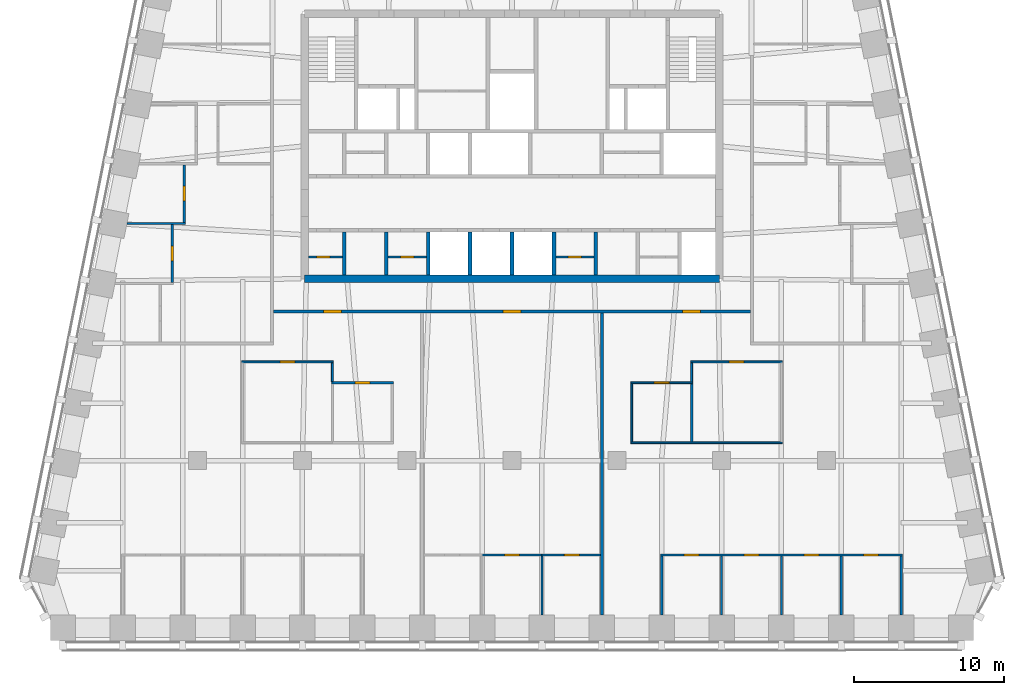
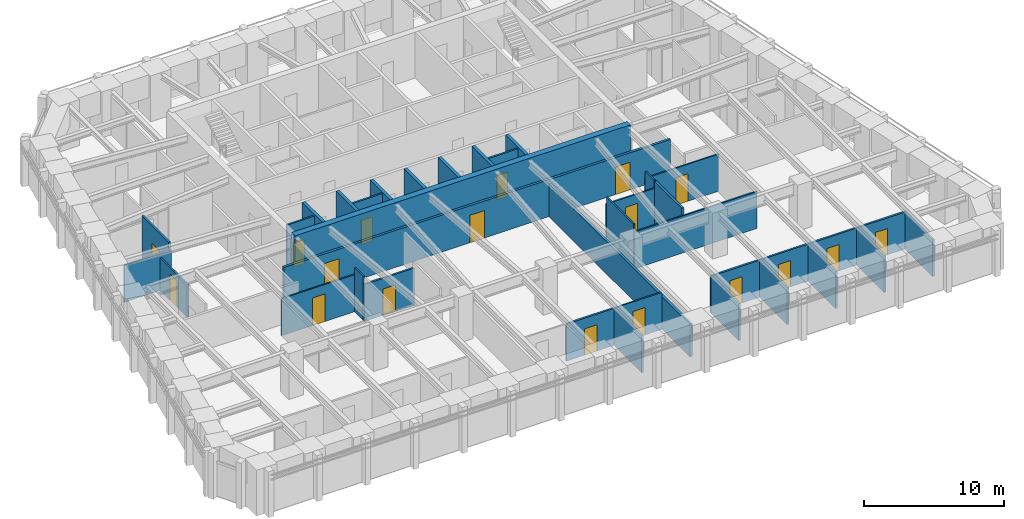
# One storey, part 6 of 11: 34 walls, 18 doors, 18 openings.
"""IFC4 building model written with IfcOpenShell, lengths in metres."""

from ifc_helpers import new_model, si_unit, direction, frame, frame_2d, origin, place, context, subcontext, project, spatial, rectangle, extrude, material, layer, layer_set, type_object, element, fill, save


model = new_model("IFC4")

# Units and contexts
model_context = context("Model", 3, precision=1e-05, world=origin(), true_north=direction((0.0, 1.0)))
body_context = subcontext(model_context, "Body", "Model", "MODEL_VIEW")
ifc_project = project(units=[si_unit("LENGTHUNIT", "METRE"), si_unit("AREAUNIT", "SQUARE_METRE"), si_unit("VOLUMEUNIT", "CUBIC_METRE"), si_unit("PLANEANGLEUNIT", "RADIAN"), si_unit("MASSUNIT", "GRAM", prefix="KILO")], contexts=[model_context])

# Site, building, storey
site_placement = place(None, origin())
site = spatial("IfcSite", under=ifc_project, at=site_placement, CompositionType="ELEMENT")
building_placement = place(site_placement, origin())
building = spatial("IfcBuilding", under=site, at=building_placement, Name="Isbrekke Arena Tower", CompositionType="ELEMENT")
storey_placement = place(building_placement, frame((0.0, 0.0, 252.0)))
storey = spatial("IfcBuildingStorey", under=building, at=storey_placement, Name="L58", CompositionType="ELEMENT", Elevation=252.0)

# Walls
ifc_material_1 = material(Name="Concrete B55 (C55/67)", Category="concrete")
ifc_layer_1 = layer(ifc_material_1, 0.5)
ifc_layer_set_1 = layer_set([ifc_layer_1], Name="CW5 CORE WALL 500")
wall_type_1 = type_object("IfcWallType", Name="CW5 CORE WALL 500", PredefinedType="SHEAR", material=ifc_layer_set_1)
wall_1_placement = place(storey_placement, frame((-13.85009765625, 6.14990234375, 0.0), z_axis=(0.0, 0.0, 1.0), x_axis=(1.0, 0.0, 0.0)))
element("IfcWall", 1, at=wall_1_placement, inside=storey, type_object=wall_type_1, Name="Core wall S L58", PredefinedType="SHEAR", context=body_context, shape_type="SweptSolid", body=[
    extrude(rectangle(XDim=27.7001953125, YDim=0.5, at=frame_2d((13.85009765625, 0.0))), origin(), (0.0, 0.0, 1.0), 4.0),
])
ifc_material_2 = material(Name="Concrete B45 (C45/55)", Category="concrete")
ifc_layer_2 = layer(ifc_material_2, 0.25)
ifc_layer_set_2 = layer_set([ifc_layer_2], Name="CW6 SHAFT WALL 250")
wall_type_2 = type_object("IfcWallType", Name="CW6 SHAFT WALL 250", PredefinedType="SHEAR", material=ifc_layer_set_2)
for number, where, z_axis, x_axis, name in (
    (2, (-11.199951171875, 6.39990234375, 0.0), (0.0, 0.0, 1.0), (0.0, 1.0, 0.0), "Core wall SS01 L58"),
    (3, (-8.39990234375, 6.39990234375, 0.0), (0.0, 0.0, 1.0), (0.0, 1.0, 0.0), "Core wall SS02 L58"),
    (4, (-5.60009765625, 6.39990234375, 0.0), (0.0, 0.0, 1.0), (0.0, 1.0, 0.0), "Core wall SS03 L58"),
    (5, (-2.800048828125, 6.39990234375, 0.0), (0.0, 0.0, 1.0), (0.0, 1.0, 0.0), "Core wall SS04 L58"),
    (6, (0.0, 6.39990234375, 0.0), (0.0, 0.0, 1.0), (0.0, 1.0, 0.0), "Core wall SS05 L58"),
    (7, (2.800048828125, 6.39990234375, 0.0), (0.0, 0.0, 1.0), (0.0, 1.0, 0.0), "Core wall SS06 L58"),
    (8, (5.60009765625, 6.39990234375, 0.0), (0.0, 0.0, 1.0), (0.0, 1.0, 0.0), "Core wall SS07 L58"),
):
    element("IfcWall", number, at=place(storey_placement, frame(where, z_axis=z_axis, x_axis=x_axis)), inside=storey, type_object=wall_type_2, Name=name, PredefinedType="SHEAR", context=body_context, shape_type="SweptSolid", body=[
        extrude(rectangle(XDim=2.875, YDim=0.25, at=frame_2d((1.4375, 0.0))), origin(), (0.0, 0.0, 1.0), 4.0),
    ])

# Wall, opening, door
ifc_material_3 = material(Name="Gypsum board partition on steel studs", Category="steel")
ifc_layer_3 = layer(ifc_material_3, 0.14990234375)
ifc_layer_set_3 = layer_set([ifc_layer_3], Name="IW1 PARTITION 150")
wall_type_3 = type_object("IfcWallType", Name="IW1 PARTITION 150", PredefinedType="PARTITIONING", material=ifc_layer_set_3)
wall_2_placement = place(storey_placement, frame((-2.0, -12.300048828125, 0.0), z_axis=(0.0, 0.0, 1.0), x_axis=(1.0, 0.0, 0.0)))
wall_2 = element("IfcWall", 9, at=wall_2_placement, inside=storey, type_object=wall_type_3, Name="IW1 partition 150 L58", PredefinedType="PARTITIONING", context=body_context, shape_type="SweptSolid", body=[
    extrude(rectangle(XDim=4.0, YDim=0.14990234375, at=frame_2d((2.0, 0.0))), origin(), (0.0, 0.0, 1.0), 3.22998046875),
])
opening_1_placement = place(wall_2_placement, frame((1.5, 0.0, 0.0)))
opening_1 = element("IfcOpeningElement", 10, at=opening_1_placement, cuts=wall_2, Name="Opening D10", PredefinedType="OPENING", context=body_context, shape_type="SweptSolid", body=[
    extrude(rectangle(XDim=1.0, YDim=2.300048828125, at=frame_2d((0.5, 1.14990234375))), frame((0.0, 0.08984375, 0.0), z_axis=(0.0, -1.0, 0.0), x_axis=(1.0, 0.0, 0.0)), (0.0, 0.0, 1.0), 0.1796875),
])
ifc_material_4 = material(Name="Timber door", Category="wood")
door_type_1 = type_object("IfcDoorType", Name="D10 OFFICE DOOR 1000 x 2300", OperationType="SINGLE_SWING_LEFT", PredefinedType="DOOR", material=ifc_material_4)
door_1_placement = place(opening_1_placement, origin())
door_1 = element("IfcDoor", 11, at=door_1_placement, inside=storey, type_object=door_type_1, Name="D10 pantry door L58", OperationType="SINGLE_SWING_LEFT", OverallHeight=2.300048828125, OverallWidth=1.0, PredefinedType="DOOR", context=body_context, shape_type="SweptSolid", body=[
    extrude(rectangle(XDim=1.0, YDim=2.300048828125, at=frame_2d((0.5, 1.14990234375))), frame((0.0, 0.07470703125, 0.0), z_axis=(0.0, -1.0, 0.0), x_axis=(1.0, 0.0, 0.0)), (0.0, 0.0, 1.0), 0.1494140625),
])
fill(opening_1, door_1)

# Wall, openings, doors
wall_3_placement = place(storey_placement, frame((9.925048828125, -12.300048828125, 0.0), z_axis=(0.0, 0.0, 1.0), x_axis=(1.0, 0.0, 0.0)))
wall_3 = element("IfcWall", 12, at=wall_3_placement, inside=storey, type_object=wall_type_3, Name="IW1 partition 150 L58", PredefinedType="PARTITIONING", context=body_context, shape_type="SweptSolid", body=[
    extrude(rectangle(XDim=16.14990234375, YDim=0.14990234375, at=frame_2d((8.074951171875, 0.0))), origin(), (0.0, 0.0, 1.0), 3.22998046875),
])
opening_2_placement = place(wall_3_placement, frame((1.574951171875, 0.0, 0.0)))
opening_2 = element("IfcOpeningElement", 13, at=opening_2_placement, cuts=wall_3, Name="Opening D10", PredefinedType="OPENING", context=body_context, shape_type="SweptSolid", body=[
    extrude(rectangle(XDim=1.0, YDim=2.300048828125, at=frame_2d((0.5, 1.14990234375))), frame((0.0, 0.08984375, 0.0), z_axis=(0.0, -1.0, 0.0), x_axis=(1.0, 0.0, 0.0)), (0.0, 0.0, 1.0), 0.1796875),
])
opening_3_placement = place(wall_3_placement, frame((5.574951171875, 0.0, 0.0)))
opening_3 = element("IfcOpeningElement", 14, at=opening_3_placement, cuts=wall_3, Name="Opening D10", PredefinedType="OPENING", context=body_context, shape_type="SweptSolid", body=[
    extrude(rectangle(XDim=1.0, YDim=2.300048828125, at=frame_2d((0.5, 1.14990234375))), frame((0.0, 0.08984375, 0.0), z_axis=(0.0, -1.0, 0.0), x_axis=(1.0, 0.0, 0.0)), (0.0, 0.0, 1.0), 0.1796875),
])
opening_4_placement = place(wall_3_placement, frame((9.574951171875, 0.0, 0.0)))
opening_4 = element("IfcOpeningElement", 15, at=opening_4_placement, cuts=wall_3, Name="Opening D10", PredefinedType="OPENING", context=body_context, shape_type="SweptSolid", body=[
    extrude(rectangle(XDim=1.0, YDim=2.300048828125, at=frame_2d((0.5, 1.14990234375))), frame((0.0, 0.08984375, 0.0), z_axis=(0.0, -1.0, 0.0), x_axis=(1.0, 0.0, 0.0)), (0.0, 0.0, 1.0), 0.1796875),
])
opening_5_placement = place(wall_3_placement, frame((13.574951171875, 0.0, 0.0)))
opening_5 = element("IfcOpeningElement", 16, at=opening_5_placement, cuts=wall_3, Name="Opening D10", PredefinedType="OPENING", context=body_context, shape_type="SweptSolid", body=[
    extrude(rectangle(XDim=1.0, YDim=2.300048828125, at=frame_2d((0.5, 1.14990234375))), frame((0.0, 0.08984375, 0.0), z_axis=(0.0, -1.0, 0.0), x_axis=(1.0, 0.0, 0.0)), (0.0, 0.0, 1.0), 0.1796875),
])
door_2_placement = place(opening_2_placement, origin())
door_2 = element("IfcDoor", 17, at=door_2_placement, inside=storey, type_object=door_type_1, Name="D10 office door L58", OperationType="SINGLE_SWING_LEFT", OverallHeight=2.300048828125, OverallWidth=1.0, PredefinedType="DOOR", context=body_context, shape_type="SweptSolid", body=[
    extrude(rectangle(XDim=1.0, YDim=2.300048828125, at=frame_2d((0.5, 1.14990234375))), frame((0.0, 0.07470703125, 0.0), z_axis=(0.0, -1.0, 0.0), x_axis=(1.0, 0.0, 0.0)), (0.0, 0.0, 1.0), 0.1494140625),
])
fill(opening_2, door_2)
door_3_placement = place(opening_3_placement, origin())
door_3 = element("IfcDoor", 18, at=door_3_placement, inside=storey, type_object=door_type_1, Name="D10 office door L58", OperationType="SINGLE_SWING_LEFT", OverallHeight=2.300048828125, OverallWidth=1.0, PredefinedType="DOOR", context=body_context, shape_type="SweptSolid", body=[
    extrude(rectangle(XDim=1.0, YDim=2.300048828125, at=frame_2d((0.5, 1.14990234375))), frame((0.0, 0.07470703125, 0.0), z_axis=(0.0, -1.0, 0.0), x_axis=(1.0, 0.0, 0.0)), (0.0, 0.0, 1.0), 0.1494140625),
])
fill(opening_3, door_3)
door_4_placement = place(opening_4_placement, origin())
door_4 = element("IfcDoor", 19, at=door_4_placement, inside=storey, type_object=door_type_1, Name="D10 office door L58", OperationType="SINGLE_SWING_LEFT", OverallHeight=2.300048828125, OverallWidth=1.0, PredefinedType="DOOR", context=body_context, shape_type="SweptSolid", body=[
    extrude(rectangle(XDim=1.0, YDim=2.300048828125, at=frame_2d((0.5, 1.14990234375))), frame((0.0, 0.07470703125, 0.0), z_axis=(0.0, -1.0, 0.0), x_axis=(1.0, 0.0, 0.0)), (0.0, 0.0, 1.0), 0.1494140625),
])
fill(opening_4, door_4)
door_5_placement = place(opening_5_placement, origin())
door_5 = element("IfcDoor", 20, at=door_5_placement, inside=storey, type_object=door_type_1, Name="D10 office door L58", OperationType="SINGLE_SWING_LEFT", OverallHeight=2.300048828125, OverallWidth=1.0, PredefinedType="DOOR", context=body_context, shape_type="SweptSolid", body=[
    extrude(rectangle(XDim=1.0, YDim=2.300048828125, at=frame_2d((0.5, 1.14990234375))), frame((0.0, 0.07470703125, 0.0), z_axis=(0.0, -1.0, 0.0), x_axis=(1.0, 0.0, 0.0)), (0.0, 0.0, 1.0), 0.1494140625),
])
fill(opening_5, door_5)

# Wall, opening, door
wall_4_placement = place(storey_placement, frame((-12.06005859375, -0.800048828125, 0.0), z_axis=(0.0, 0.0, 1.0), x_axis=(1.0, 0.0, 0.0)))
wall_4 = element("IfcWall", 21, at=wall_4_placement, inside=storey, type_object=wall_type_3, Name="IW1 partition 150 L58", PredefinedType="PARTITIONING", context=body_context, shape_type="SweptSolid", body=[
    extrude(rectangle(XDim=4.135009765625, YDim=0.14990234375, at=frame_2d((2.0673828125, 0.0))), origin(), (0.0, 0.0, 1.0), 3.22998046875),
])
opening_6_placement = place(wall_4_placement, frame((1.56005859375, 0.0, 0.0)))
opening_6 = element("IfcOpeningElement", 22, at=opening_6_placement, cuts=wall_4, Name="Opening D10", PredefinedType="OPENING", context=body_context, shape_type="SweptSolid", body=[
    extrude(rectangle(XDim=1.0, YDim=2.300048828125, at=frame_2d((0.5, 1.14990234375))), frame((0.0, 0.08984375, 0.0), z_axis=(0.0, -1.0, 0.0), x_axis=(1.0, 0.0, 0.0)), (0.0, 0.0, 1.0), 0.1796875),
])
door_6_placement = place(opening_6_placement, origin())
door_6 = element("IfcDoor", 23, at=door_6_placement, inside=storey, type_object=door_type_1, Name="D10 tea point door L58", OperationType="SINGLE_SWING_LEFT", OverallHeight=2.300048828125, OverallWidth=1.0, PredefinedType="DOOR", context=body_context, shape_type="SweptSolid", body=[
    extrude(rectangle(XDim=1.0, YDim=2.300048828125, at=frame_2d((0.5, 1.14990234375))), frame((0.0, 0.07470703125, 0.0), z_axis=(0.0, -1.0, 0.0), x_axis=(1.0, 0.0, 0.0)), (0.0, 0.0, 1.0), 0.1494140625),
])
fill(opening_6, door_6)

# Wall
wall_5_placement = place(storey_placement, frame((-25.723876953125, 9.840087890625, 0.0), z_axis=(0.0, 0.0, 1.0), x_axis=(1.0, 0.0, 0.0)))
element("IfcWall", 24, at=wall_5_placement, inside=storey, type_object=wall_type_3, Name="IW1 partition 150 L58", PredefinedType="PARTITIONING", context=body_context, shape_type="SweptSolid", body=[
    extrude(rectangle(XDim=3.89892578125, YDim=0.14990234375, at=frame_2d((1.949462890625, 0.0))), origin(), (0.0, 0.0, 1.0), 3.22998046875),
])

# Wall, opening, door
wall_6_placement = place(storey_placement, frame((-22.699951171875, 5.9150390625, 0.0), z_axis=(0.0, 0.0, 1.0), x_axis=(0.0, 1.0, 0.0)))
wall_6 = element("IfcWall", 25, at=wall_6_placement, inside=storey, type_object=wall_type_3, Name="IW1 partition 150 L58", PredefinedType="PARTITIONING", context=body_context, shape_type="SweptSolid", body=[
    extrude(rectangle(XDim=3.849853515625, YDim=0.14990234375, at=frame_2d((1.9248046875, 0.0))), origin(), (0.0, 0.0, 1.0), 2.842041015625),
])
opening_7_placement = place(wall_6_placement, frame((1.425048828125, 0.0, 0.0)))
opening_7 = element("IfcOpeningElement", 26, at=opening_7_placement, cuts=wall_6, Name="Opening D10", PredefinedType="OPENING", context=body_context, shape_type="SweptSolid", body=[
    extrude(rectangle(XDim=1.0, YDim=2.300048828125, at=frame_2d((0.5, 1.14990234375))), frame((0.0, 0.08984375, 0.0), z_axis=(0.0, -1.0, 0.0), x_axis=(1.0, 0.0, 0.0)), (0.0, 0.0, 1.0), 0.1796875),
])
door_7_placement = place(opening_7_placement, origin())
door_7 = element("IfcDoor", 27, at=door_7_placement, inside=storey, type_object=door_type_1, Name="D10 office door L58", OperationType="SINGLE_SWING_LEFT", OverallHeight=2.300048828125, OverallWidth=1.0, PredefinedType="DOOR", context=body_context, shape_type="SweptSolid", body=[
    extrude(rectangle(XDim=1.0, YDim=2.300048828125, at=frame_2d((0.5, 1.14990234375))), frame((0.0, 0.07470703125, 0.0), z_axis=(0.0, -1.0, 0.0), x_axis=(1.0, 0.0, 0.0)), (0.0, 0.0, 1.0), 0.1494140625),
])
fill(opening_7, door_7)

wall_7_placement = place(storey_placement, frame((-21.89990234375, 9.9150390625, 0.0), z_axis=(0.0, 0.0, 1.0), x_axis=(0.0, 1.0, 0.0)))
wall_7 = element("IfcWall", 28, at=wall_7_placement, inside=storey, type_object=wall_type_3, Name="IW1 partition 150 L58", PredefinedType="PARTITIONING", context=body_context, shape_type="SweptSolid", body=[
    extrude(rectangle(XDim=3.849853515625, YDim=0.14990234375, at=frame_2d((1.9248046875, 0.0))), origin(), (0.0, 0.0, 1.0), 3.85009765625),
])
opening_8_placement = place(wall_7_placement, frame((1.425048828125, 0.0, 0.0)))
opening_8 = element("IfcOpeningElement", 29, at=opening_8_placement, cuts=wall_7, Name="Opening D10", PredefinedType="OPENING", context=body_context, shape_type="SweptSolid", body=[
    extrude(rectangle(XDim=1.0, YDim=2.300048828125, at=frame_2d((0.5, 1.14990234375))), frame((0.0, 0.08984375, 0.0), z_axis=(0.0, -1.0, 0.0), x_axis=(1.0, 0.0, 0.0)), (0.0, 0.0, 1.0), 0.1796875),
])
door_8_placement = place(opening_8_placement, origin())
door_8 = element("IfcDoor", 30, at=door_8_placement, inside=storey, type_object=door_type_1, Name="D10 office door L58", OperationType="SINGLE_SWING_LEFT", OverallHeight=2.300048828125, OverallWidth=1.0, PredefinedType="DOOR", context=body_context, shape_type="SweptSolid", body=[
    extrude(rectangle(XDim=1.0, YDim=2.300048828125, at=frame_2d((0.5, 1.14990234375))), frame((0.0, 0.07470703125, 0.0), z_axis=(0.0, -1.0, 0.0), x_axis=(1.0, 0.0, 0.0)), (0.0, 0.0, 1.0), 0.1494140625),
])
fill(opening_8, door_8)

# Walls
for number, where, z_axis, x_axis, name in (
    (31, (2.0, -16.324951171875, 0.0), (0.0, 0.0, 1.0), (0.0, 1.0, 0.0), "IW1 partition 150 L58"),
    (32, (10.0, -16.324951171875, 0.0), (0.0, 0.0, 1.0), (0.0, 1.0, 0.0), "IW1 partition 150 L58"),
    (33, (14.0, -16.324951171875, 0.0), (0.0, 0.0, 1.0), (0.0, 1.0, 0.0), "IW1 partition 150 L58"),
    (34, (18.0, -16.324951171875, 0.0), (0.0, 0.0, 1.0), (0.0, 1.0, 0.0), "IW1 partition 150 L58"),
    (35, (22.0, -16.324951171875, 0.0), (0.0, 0.0, 1.0), (0.0, 1.0, 0.0), "IW1 partition 150 L58"),
    (36, (26.0, -16.324951171875, 0.0), (0.0, 0.0, 1.0), (0.0, 1.0, 0.0), "IW1 partition 150 L58"),
):
    element("IfcWall", number, at=place(storey_placement, frame(where, z_axis=z_axis, x_axis=x_axis)), inside=storey, type_object=wall_type_3, Name=name, PredefinedType="PARTITIONING", context=body_context, shape_type="SweptSolid", body=[
        extrude(rectangle(XDim=3.949951171875, YDim=0.14990234375, at=frame_2d((1.97509765625, 0.0))), origin(), (0.0, 0.0, 1.0), 3.22998046875),
    ])

# Wall, opening, door
ifc_material_5 = material(Name="Frameless glazed partition, laminated acoustic glass", Category="glass")
ifc_layer_4 = layer(ifc_material_5, 0.1201171875)
ifc_layer_set_4 = layer_set([ifc_layer_4], Name="IW2 GLAZED PARTITION 120")
wall_type_4 = type_object("IfcWallType", Name="IW2 GLAZED PARTITION 120", PredefinedType="PARTITIONING", material=ifc_layer_set_4)
wall_8_placement = place(storey_placement, frame((2.0, -12.300048828125, 0.0), z_axis=(0.0, 0.0, 1.0), x_axis=(1.0, 0.0, 0.0)))
wall_8 = element("IfcWall", 37, at=wall_8_placement, inside=storey, type_object=wall_type_4, Name="IW2 glazed partition 120 L58", PredefinedType="PARTITIONING", context=body_context, shape_type="SweptSolid", body=[
    extrude(rectangle(XDim=3.89990234375, YDim=0.1201171875, at=frame_2d((1.949951171875, 0.0))), origin(), (0.0, 0.0, 1.0), 3.22998046875),
])
opening_9_placement = place(wall_8_placement, frame((1.5, 0.0, 0.0)))
opening_9 = element("IfcOpeningElement", 38, at=opening_9_placement, cuts=wall_8, Name="Opening D11", PredefinedType="OPENING", context=body_context, shape_type="SweptSolid", body=[
    extrude(rectangle(XDim=1.0, YDim=2.39990234375, at=frame_2d((0.5, 1.199951171875))), frame((0.0, 0.074951171875, 0.0), z_axis=(0.0, -1.0, 0.0), x_axis=(1.0, 0.0, 0.0)), (0.0, 0.0, 1.0), 0.14990234375),
])
ifc_material_6 = material(Name="Frameless glazed door", Category="glass")
door_type_2 = type_object("IfcDoorType", Name="D11 GLAZED MEETING ROOM DOOR 1000 x 2400", OperationType="SINGLE_SWING_RIGHT", PredefinedType="DOOR", material=ifc_material_6)
door_9_placement = place(opening_9_placement, origin())
door_9 = element("IfcDoor", 39, at=door_9_placement, inside=storey, type_object=door_type_2, Name="D11 meeting room door L58", OperationType="SINGLE_SWING_RIGHT", OverallHeight=2.39990234375, OverallWidth=1.0, PredefinedType="DOOR", context=body_context, shape_type="SweptSolid", body=[
    extrude(rectangle(XDim=1.0, YDim=2.39990234375, at=frame_2d((0.5, 1.199951171875))), frame((0.0, 0.059814453125, 0.0), z_axis=(0.0, -1.0, 0.0), x_axis=(1.0, 0.0, 0.0)), (0.0, 0.0, 1.0), 0.11962890625),
])
fill(opening_9, door_9)

# Wall
wall_9_placement = place(storey_placement, frame((7.93994140625, -4.800048828125, 0.0), z_axis=(0.0, 0.0, 1.0), x_axis=(1.0, 0.0, 0.0)))
element("IfcWall", 40, at=wall_9_placement, inside=storey, type_object=wall_type_4, Name="IW2 glazed partition 120 L58", PredefinedType="PARTITIONING", context=body_context, shape_type="SweptSolid", body=[
    extrude(rectangle(XDim=10.1201171875, YDim=0.1201171875, at=frame_2d((5.06005859375, 0.0))), origin(), (0.0, 0.0, 1.0), 3.22998046875),
])

# Wall, opening, door
wall_10_placement = place(storey_placement, frame((7.93994140625, -0.800048828125, 0.0), z_axis=(0.0, 0.0, 1.0), x_axis=(1.0, 0.0, 0.0)))
wall_10 = element("IfcWall", 41, at=wall_10_placement, inside=storey, type_object=wall_type_4, Name="IW2 glazed partition 120 L58", PredefinedType="PARTITIONING", context=body_context, shape_type="SweptSolid", body=[
    extrude(rectangle(XDim=4.1201171875, YDim=0.1201171875, at=frame_2d((2.06005859375, 0.0))), origin(), (0.0, 0.0, 1.0), 3.22998046875),
])
opening_10_placement = place(wall_10_placement, frame((1.56005859375, 0.0, 0.0)))
opening_10 = element("IfcOpeningElement", 42, at=opening_10_placement, cuts=wall_10, Name="Opening D11", PredefinedType="OPENING", context=body_context, shape_type="SweptSolid", body=[
    extrude(rectangle(XDim=1.0, YDim=2.39990234375, at=frame_2d((0.5, 1.199951171875))), frame((0.0, 0.074951171875, 0.0), z_axis=(0.0, -1.0, 0.0), x_axis=(1.0, 0.0, 0.0)), (0.0, 0.0, 1.0), 0.14990234375),
])
door_10_placement = place(opening_10_placement, origin())
door_10 = element("IfcDoor", 43, at=door_10_placement, inside=storey, type_object=door_type_2, Name="D11 quiet room door L58", OperationType="SINGLE_SWING_RIGHT", OverallHeight=2.39990234375, OverallWidth=1.0, PredefinedType="DOOR", context=body_context, shape_type="SweptSolid", body=[
    extrude(rectangle(XDim=1.0, YDim=2.39990234375, at=frame_2d((0.5, 1.199951171875))), frame((0.0, 0.059814453125, 0.0), z_axis=(0.0, -1.0, 0.0), x_axis=(1.0, 0.0, 0.0)), (0.0, 0.0, 1.0), 0.11962890625),
])
fill(opening_10, door_10)

wall_11_placement = place(storey_placement, frame((-18.06005859375, 0.60009765625, 0.0), z_axis=(0.0, 0.0, 1.0), x_axis=(1.0, 0.0, 0.0)))
wall_11 = element("IfcWall", 44, at=wall_11_placement, inside=storey, type_object=wall_type_4, Name="IW2 glazed partition 120 L58", PredefinedType="PARTITIONING", context=body_context, shape_type="SweptSolid", body=[
    extrude(rectangle(XDim=6.1201171875, YDim=0.1201171875, at=frame_2d((3.06005859375, 0.0))), origin(), (0.0, 0.0, 1.0), 3.22998046875),
])
opening_11_placement = place(wall_11_placement, frame((2.56005859375, 0.0, 0.0)))
opening_11 = element("IfcOpeningElement", 45, at=opening_11_placement, cuts=wall_11, Name="Opening D11", PredefinedType="OPENING", context=body_context, shape_type="SweptSolid", body=[
    extrude(rectangle(XDim=1.0, YDim=2.39990234375, at=frame_2d((0.5, 1.199951171875))), frame((0.0, 0.074951171875, 0.0), z_axis=(0.0, -1.0, 0.0), x_axis=(1.0, 0.0, 0.0)), (0.0, 0.0, 1.0), 0.14990234375),
])
door_11_placement = place(opening_11_placement, origin())
door_11 = element("IfcDoor", 46, at=door_11_placement, inside=storey, type_object=door_type_2, Name="D11 meeting room door L58", OperationType="SINGLE_SWING_RIGHT", OverallHeight=2.39990234375, OverallWidth=1.0, PredefinedType="DOOR", context=body_context, shape_type="SweptSolid", body=[
    extrude(rectangle(XDim=1.0, YDim=2.39990234375, at=frame_2d((0.5, 1.199951171875))), frame((0.0, 0.059814453125, 0.0), z_axis=(0.0, -1.0, 0.0), x_axis=(1.0, 0.0, 0.0)), (0.0, 0.0, 1.0), 0.11962890625),
])
fill(opening_11, door_11)

wall_12_placement = place(storey_placement, frame((11.93994140625, 0.60009765625, 0.0), z_axis=(0.0, 0.0, 1.0), x_axis=(1.0, 0.0, 0.0)))
wall_12 = element("IfcWall", 47, at=wall_12_placement, inside=storey, type_object=wall_type_4, Name="IW2 glazed partition 120 L58", PredefinedType="PARTITIONING", context=body_context, shape_type="SweptSolid", body=[
    extrude(rectangle(XDim=6.1201171875, YDim=0.1201171875, at=frame_2d((3.06005859375, 0.0))), origin(), (0.0, 0.0, 1.0), 3.22998046875),
])
opening_12_placement = place(wall_12_placement, frame((2.56005859375, 0.0, 0.0)))
opening_12 = element("IfcOpeningElement", 48, at=opening_12_placement, cuts=wall_12, Name="Opening D11", PredefinedType="OPENING", context=body_context, shape_type="SweptSolid", body=[
    extrude(rectangle(XDim=1.0, YDim=2.39990234375, at=frame_2d((0.5, 1.199951171875))), frame((0.0, 0.074951171875, 0.0), z_axis=(0.0, -1.0, 0.0), x_axis=(1.0, 0.0, 0.0)), (0.0, 0.0, 1.0), 0.14990234375),
])
door_12_placement = place(opening_12_placement, origin())
door_12 = element("IfcDoor", 49, at=door_12_placement, inside=storey, type_object=door_type_2, Name="D11 meeting room door L58", OperationType="SINGLE_SWING_RIGHT", OverallHeight=2.39990234375, OverallWidth=1.0, PredefinedType="DOOR", context=body_context, shape_type="SweptSolid", body=[
    extrude(rectangle(XDim=1.0, YDim=2.39990234375, at=frame_2d((0.5, 1.199951171875))), frame((0.0, 0.059814453125, 0.0), z_axis=(0.0, -1.0, 0.0), x_axis=(1.0, 0.0, 0.0)), (0.0, 0.0, 1.0), 0.11962890625),
])
fill(opening_12, door_12)

# Walls
wall_13_placement = place(storey_placement, frame((-12.0, -0.72509765625, 0.0), z_axis=(0.0, 0.0, 1.0), x_axis=(0.0, 1.0, 0.0)))
element("IfcWall", 50, at=wall_13_placement, inside=storey, type_object=wall_type_4, Name="IW2 glazed partition 120 L58", PredefinedType="PARTITIONING", context=body_context, shape_type="SweptSolid", body=[
    extrude(rectangle(XDim=1.26513671875, YDim=0.1201171875, at=frame_2d((0.632568359375, 0.0))), origin(), (0.0, 0.0, 1.0), 3.85009765625),
])
wall_14_placement = place(storey_placement, frame((8.0, -4.739990234375, 0.0), z_axis=(0.0, 0.0, 1.0), x_axis=(0.0, 1.0, 0.0)))
element("IfcWall", 51, at=wall_14_placement, inside=storey, type_object=wall_type_4, Name="IW2 glazed partition 120 L58", PredefinedType="PARTITIONING", context=body_context, shape_type="SweptSolid", body=[
    extrude(rectangle(XDim=3.8798828125, YDim=0.1201171875, at=frame_2d((1.93994140625, 0.0))), origin(), (0.0, 0.0, 1.0), 3.85009765625),
])
wall_15_placement = place(storey_placement, frame((12.0, -0.739990234375, 0.0), z_axis=(0.0, 0.0, 1.0), x_axis=(0.0, 1.0, 0.0)))
element("IfcWall", 52, at=wall_15_placement, inside=storey, type_object=wall_type_4, Name="IW2 glazed partition 120 L58", PredefinedType="PARTITIONING", context=body_context, shape_type="SweptSolid", body=[
    extrude(rectangle(XDim=1.280029296875, YDim=0.1201171875, at=frame_2d((0.64013671875, 0.0))), origin(), (0.0, 0.0, 1.0), 3.85009765625),
])

# Wall, openings, doors
ifc_material_7 = material(Name="Gypsum board fire-cell wall on steel studs, two layers each side", Category="steel")
ifc_layer_5 = layer(ifc_material_7, 0.199951171875)
ifc_layer_set_5 = layer_set([ifc_layer_5], Name="IW3 FIRE-CELL WALL 200")
wall_type_5 = type_object("IfcWallType", Name="IW3 FIRE-CELL WALL 200", PredefinedType="PARTITIONING", material=ifc_layer_set_5)
wall_16_placement = place(storey_placement, frame((-15.949951171875, 3.949951171875, 0.0), z_axis=(0.0, 0.0, 1.0), x_axis=(1.0, 0.0, 0.0)))
wall_16 = element("IfcWall", 53, at=wall_16_placement, inside=storey, type_object=wall_type_5, Name="IW3 fire-cell wall 200 L58", PredefinedType="PARTITIONING", context=body_context, shape_type="SweptSolid", body=[
    extrude(rectangle(XDim=31.89990234375, YDim=0.199951171875, at=frame_2d((15.949951171875, 0.0))), origin(), (0.0, 0.0, 1.0), 3.22998046875),
])
opening_13_placement = place(wall_16_placement, frame((3.35009765625, 0.0, 0.0)))
opening_13 = element("IfcOpeningElement", 54, at=opening_13_placement, cuts=wall_16, Name="Opening D12", PredefinedType="OPENING", context=body_context, shape_type="SweptSolid", body=[
    extrude(rectangle(XDim=1.199951171875, YDim=2.39990234375, at=frame_2d((0.60009765625, 1.199951171875))), frame((0.0, 0.11474609375, 0.0), z_axis=(0.0, -1.0, 0.0), x_axis=(1.0, 0.0, 0.0)), (0.0, 0.0, 1.0), 0.229736328125),
])
opening_14_placement = place(wall_16_placement, frame((27.35009765625, 0.0, 0.0)))
opening_14 = element("IfcOpeningElement", 55, at=opening_14_placement, cuts=wall_16, Name="Opening D12", PredefinedType="OPENING", context=body_context, shape_type="SweptSolid", body=[
    extrude(rectangle(XDim=1.199951171875, YDim=2.39990234375, at=frame_2d((0.60009765625, 1.199951171875))), frame((0.0, 0.11474609375, 0.0), z_axis=(0.0, -1.0, 0.0), x_axis=(1.0, 0.0, 0.0)), (0.0, 0.0, 1.0), 0.229736328125),
])
opening_15_placement = place(wall_16_placement, frame((15.35009765625, 0.0, 0.0)))
opening_15 = element("IfcOpeningElement", 56, at=opening_15_placement, cuts=wall_16, Name="Opening D12", PredefinedType="OPENING", context=body_context, shape_type="SweptSolid", body=[
    extrude(rectangle(XDim=1.199951171875, YDim=2.39990234375, at=frame_2d((0.60009765625, 1.199951171875))), frame((0.0, 0.11474609375, 0.0), z_axis=(0.0, -1.0, 0.0), x_axis=(1.0, 0.0, 0.0)), (0.0, 0.0, 1.0), 0.229736328125),
])
ifc_material_8 = material(Name="Timber fire door with vision panel", Category="wood")
door_type_3 = type_object("IfcDoorType", Name="D12 SUITE ENTRANCE DOOR 1200 x 2400", OperationType="SINGLE_SWING_LEFT", PredefinedType="DOOR", material=ifc_material_8)
door_13_placement = place(opening_13_placement, origin())
door_13 = element("IfcDoor", 57, at=door_13_placement, inside=storey, type_object=door_type_3, Name="D12 suite entrance SW door L58", OperationType="SINGLE_SWING_LEFT", OverallHeight=2.39990234375, OverallWidth=1.199951171875, PredefinedType="DOOR", context=body_context, shape_type="SweptSolid", body=[
    extrude(rectangle(XDim=1.199951171875, YDim=2.39990234375, at=frame_2d((0.60009765625, 1.199951171875))), frame((0.0, 0.099609375, 0.0), z_axis=(0.0, -1.0, 0.0), x_axis=(1.0, 0.0, 0.0)), (0.0, 0.0, 1.0), 0.199462890625),
])
fill(opening_13, door_13)
door_14_placement = place(opening_14_placement, origin())
door_14 = element("IfcDoor", 58, at=door_14_placement, inside=storey, type_object=door_type_3, Name="D12 suite entrance SE door L58", OperationType="SINGLE_SWING_LEFT", OverallHeight=2.39990234375, OverallWidth=1.199951171875, PredefinedType="DOOR", context=body_context, shape_type="SweptSolid", body=[
    extrude(rectangle(XDim=1.199951171875, YDim=2.39990234375, at=frame_2d((0.60009765625, 1.199951171875))), frame((0.0, 0.099609375, 0.0), z_axis=(0.0, -1.0, 0.0), x_axis=(1.0, 0.0, 0.0)), (0.0, 0.0, 1.0), 0.199462890625),
])
fill(opening_14, door_14)
door_15_placement = place(opening_15_placement, origin())
door_15 = element("IfcDoor", 59, at=door_15_placement, inside=storey, type_object=door_type_3, Name="D12 suite entrance S door L58", OperationType="SINGLE_SWING_LEFT", OverallHeight=2.39990234375, OverallWidth=1.199951171875, PredefinedType="DOOR", context=body_context, shape_type="SweptSolid", body=[
    extrude(rectangle(XDim=1.199951171875, YDim=2.39990234375, at=frame_2d((0.60009765625, 1.199951171875))), frame((0.0, 0.099609375, 0.0), z_axis=(0.0, -1.0, 0.0), x_axis=(1.0, 0.0, 0.0)), (0.0, 0.0, 1.0), 0.199462890625),
])
fill(opening_15, door_15)

# Walls
wall_17_placement = place(storey_placement, frame((6.0, -16.324951171875, 0.0), z_axis=(0.0, 0.0, 1.0), x_axis=(0.0, 1.0, 0.0)))
element("IfcWall", 60, at=wall_17_placement, inside=storey, type_object=wall_type_5, Name="IW3 fire-cell wall 200 L58", PredefinedType="PARTITIONING", context=body_context, shape_type="SweptSolid", body=[
    extrude(rectangle(XDim=20.175048828125, YDim=0.199951171875, at=frame_2d((10.08740234375, 0.0))), origin(), (0.0, 0.0, 1.0), 2.842041015625),
])
ifc_material_9 = material(Name="Gypsum board acoustic partition on twin steel studs", Category="steel")
ifc_layer_6 = layer(ifc_material_9, 0.175048828125)
ifc_layer_set_6 = layer_set([ifc_layer_6], Name="IW4 ACOUSTIC PARTITION 175")
wall_type_6 = type_object("IfcWallType", Name="IW4 ACOUSTIC PARTITION 175", PredefinedType="PARTITIONING", material=ifc_layer_set_6)
wall_18_placement = place(storey_placement, frame((12.0, -4.739990234375, 0.0), z_axis=(0.0, 0.0, 1.0), x_axis=(0.0, 1.0, 0.0)))
element("IfcWall", 61, at=wall_18_placement, inside=storey, type_object=wall_type_6, Name="IW4 acoustic partition 175 L58", PredefinedType="PARTITIONING", context=body_context, shape_type="SweptSolid", body=[
    extrude(rectangle(XDim=3.8798828125, YDim=0.175048828125, at=frame_2d((1.93994140625, 0.0))), origin(), (0.0, 0.0, 1.0), 3.85009765625),
])

# Wall, opening, door
ifc_material_10 = material(Name="Gypsum board fire-rated partition on steel studs, two layers each side", Category="steel")
ifc_layer_7 = layer(ifc_material_10, 0.14990234375)
ifc_layer_set_7 = layer_set([ifc_layer_7], Name="IW5 FIRE-RATED PARTITION 150")
wall_type_7 = type_object("IfcWallType", Name="IW5 FIRE-RATED PARTITION 150", PredefinedType="PARTITIONING", material=ifc_layer_set_7)
wall_19_placement = place(storey_placement, frame((-13.60009765625, 7.60009765625, 0.0), z_axis=(0.0, 0.0, 1.0), x_axis=(1.0, 0.0, 0.0)))
wall_19 = element("IfcWall", 62, at=wall_19_placement, inside=storey, type_object=wall_type_7, Name="IW5 fire-rated partition L58 core service rooms 3", PredefinedType="PARTITIONING", context=body_context, shape_type="SweptSolid", body=[
    extrude(rectangle(XDim=2.275146484375, YDim=0.14990234375, at=frame_2d((1.1376953125, 0.0))), origin(), (0.0, 0.0, 1.0), 3.85009765625),
])
opening_16_placement = place(wall_19_placement, frame((0.550048828125, 0.0, 0.0)))
opening_16 = element("IfcOpeningElement", 63, at=opening_16_placement, cuts=wall_19, Name="Opening D5", PredefinedType="OPENING", context=body_context, shape_type="SweptSolid", body=[
    extrude(rectangle(XDim=0.89990234375, YDim=2.10009765625, at=frame_2d((0.449951171875, 1.050048828125))), frame((0.0, 0.08984375, 0.0), z_axis=(0.0, -1.0, 0.0), x_axis=(1.0, 0.0, 0.0)), (0.0, 0.0, 1.0), 0.1796875),
])
ifc_material_11 = material(Name="Steel fire door", Category="steel")
door_type_4 = type_object("IfcDoorType", Name="D5 SERVICE DOOR 900 x 2100", OperationType="SINGLE_SWING_LEFT", PredefinedType="DOOR", material=ifc_material_11)
door_16_placement = place(opening_16_placement, origin())
door_16 = element("IfcDoor", 64, at=door_16_placement, inside=storey, type_object=door_type_4, Name="D5 store door L58", OperationType="SINGLE_SWING_LEFT", OverallHeight=2.10009765625, OverallWidth=0.89990234375, PredefinedType="DOOR", context=body_context, shape_type="SweptSolid", body=[
    extrude(rectangle(XDim=0.89990234375, YDim=2.10009765625, at=frame_2d((0.449951171875, 1.050048828125))), frame((0.0, 0.07470703125, 0.0), z_axis=(0.0, -1.0, 0.0), x_axis=(1.0, 0.0, 0.0)), (0.0, 0.0, 1.0), 0.1494140625),
])
fill(opening_16, door_16)

wall_20_placement = place(storey_placement, frame((-8.27490234375, 7.60009765625, 0.0), z_axis=(0.0, 0.0, 1.0), x_axis=(1.0, 0.0, 0.0)))
wall_20 = element("IfcWall", 65, at=wall_20_placement, inside=storey, type_object=wall_type_7, Name="IW5 fire-rated partition L58 core service rooms 4", PredefinedType="PARTITIONING", context=body_context, shape_type="SweptSolid", body=[
    extrude(rectangle(XDim=2.5498046875, YDim=0.14990234375, at=frame_2d((1.27490234375, 0.0))), origin(), (0.0, 0.0, 1.0), 3.85009765625),
])
opening_17_placement = place(wall_20_placement, frame((0.824951171875, 0.0, 0.0)))
opening_17 = element("IfcOpeningElement", 66, at=opening_17_placement, cuts=wall_20, Name="Opening D5", PredefinedType="OPENING", context=body_context, shape_type="SweptSolid", body=[
    extrude(rectangle(XDim=0.89990234375, YDim=2.10009765625, at=frame_2d((0.449951171875, 1.050048828125))), frame((0.0, 0.08984375, 0.0), z_axis=(0.0, -1.0, 0.0), x_axis=(1.0, 0.0, 0.0)), (0.0, 0.0, 1.0), 0.1796875),
])
door_17_placement = place(opening_17_placement, origin())
door_17 = element("IfcDoor", 67, at=door_17_placement, inside=storey, type_object=door_type_4, Name="D5 archive door L58", OperationType="SINGLE_SWING_LEFT", OverallHeight=2.10009765625, OverallWidth=0.89990234375, PredefinedType="DOOR", context=body_context, shape_type="SweptSolid", body=[
    extrude(rectangle(XDim=0.89990234375, YDim=2.10009765625, at=frame_2d((0.449951171875, 1.050048828125))), frame((0.0, 0.07470703125, 0.0), z_axis=(0.0, -1.0, 0.0), x_axis=(1.0, 0.0, 0.0)), (0.0, 0.0, 1.0), 0.1494140625),
])
fill(opening_17, door_17)

wall_21_placement = place(storey_placement, frame((2.925048828125, 7.60009765625, 0.0), z_axis=(0.0, 0.0, 1.0), x_axis=(1.0, 0.0, 0.0)))
wall_21 = element("IfcWall", 68, at=wall_21_placement, inside=storey, type_object=wall_type_7, Name="IW5 fire-rated partition L58 core service rooms 5", PredefinedType="PARTITIONING", context=body_context, shape_type="SweptSolid", body=[
    extrude(rectangle(XDim=2.550048828125, YDim=0.14990234375, at=frame_2d((1.27490234375, 0.0))), origin(), (0.0, 0.0, 1.0), 3.85009765625),
])
opening_18_placement = place(wall_21_placement, frame((0.824951171875, 0.0, 0.0)))
opening_18 = element("IfcOpeningElement", 69, at=opening_18_placement, cuts=wall_21, Name="Opening D5", PredefinedType="OPENING", context=body_context, shape_type="SweptSolid", body=[
    extrude(rectangle(XDim=0.89990234375, YDim=2.10009765625, at=frame_2d((0.449951171875, 1.050048828125))), frame((0.0, 0.08984375, 0.0), z_axis=(0.0, -1.0, 0.0), x_axis=(1.0, 0.0, 0.0)), (0.0, 0.0, 1.0), 0.1796875),
])
door_18_placement = place(opening_18_placement, origin())
door_18 = element("IfcDoor", 70, at=door_18_placement, inside=storey, type_object=door_type_4, Name="D5 store door L58", OperationType="SINGLE_SWING_LEFT", OverallHeight=2.10009765625, OverallWidth=0.89990234375, PredefinedType="DOOR", context=body_context, shape_type="SweptSolid", body=[
    extrude(rectangle(XDim=0.89990234375, YDim=2.10009765625, at=frame_2d((0.449951171875, 1.050048828125))), frame((0.0, 0.07470703125, 0.0), z_axis=(0.0, -1.0, 0.0), x_axis=(1.0, 0.0, 0.0)), (0.0, 0.0, 1.0), 0.1494140625),
])
fill(opening_18, door_18)

save(model, "model.ifc")
